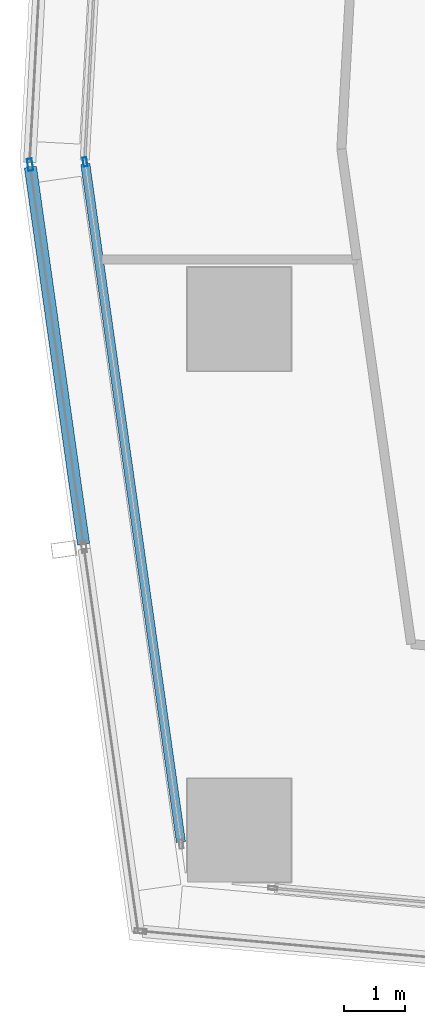
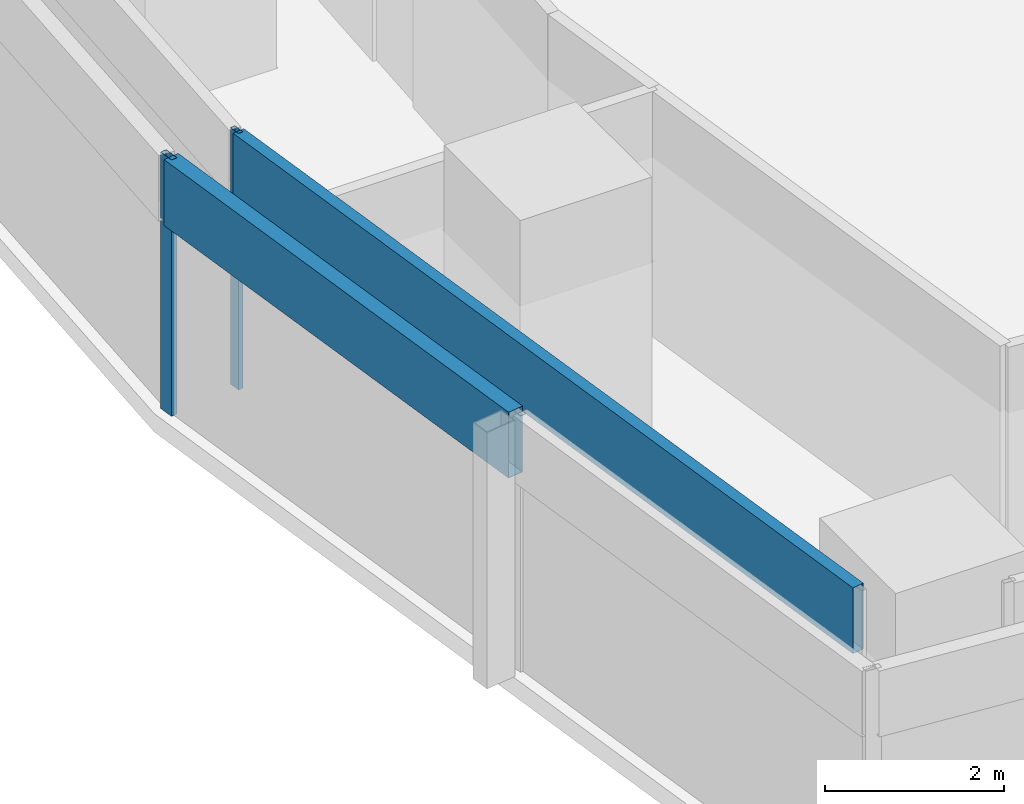
# One storey, part 4 of 40: 4 members, 2 elements without a shape of their own.
"""IFC4 building model written with IfcOpenShell, lengths in metres."""

from ifc_helpers import new_model, si_unit, direction, frame, origin, origin_2d, place, context, subcontext, project, spatial, hollow_rectangle, extrude, material, material_profile, profile_set, type_object, element, aggregate, save


model = new_model("IFC4")

# Units and contexts
model_context = context("Model", 3, precision=1e-05, world=origin(), true_north=direction((0.0, 1.0)))
body_context = subcontext(model_context, "Body", "Model", "MODEL_VIEW")
ifc_project = project(units=[si_unit("LENGTHUNIT", "METRE"), si_unit("AREAUNIT", "SQUARE_METRE"), si_unit("VOLUMEUNIT", "CUBIC_METRE"), si_unit("PLANEANGLEUNIT", "RADIAN"), si_unit("MASSUNIT", "GRAM", prefix="KILO")], contexts=[model_context])

# Site, building, storey
site_placement = place(None, origin())
site = spatial("IfcSite", under=ifc_project, at=site_placement, CompositionType="ELEMENT")
building_placement = place(site_placement, origin())
building = spatial("IfcBuilding", under=site, at=building_placement, Name="Rekha Terrace Tower", CompositionType="ELEMENT")
storey_placement = place(building_placement, frame((0.0, 0.0, 121.550048828125)))
storey = spatial("IfcBuildingStorey", under=building, at=storey_placement, Name="L30", CompositionType="ELEMENT", Elevation=121.550048828125)

# Curtain wall, members
ifc_material_1 = material(Name="Aluminium framing", Category="aluminium")
curtain_wall_type_1 = type_object("IfcCurtainWallType", Name="CW1 double skin inner glazing", PredefinedType="USERDEFINED", material=ifc_material_1)
curtain_wall_1_placement = place(storey_placement, origin())
curtain_wall_1 = element("IfcCurtainWall", 1, at=curtain_wall_1_placement, inside=storey, type_object=curtain_wall_type_1, Name="CW1 double skin inner glazing", ObjectType="DOUBLE SKIN INNER GLAZING", PredefinedType="USERDEFINED")
ifc_material_2 = material(Name="Aluminium mullion section", Category="aluminium")
ifc_material_profile_1 = material_profile(ifc_material_2, hollow_rectangle(XDim=0.06494140625, YDim=0.14990234375, WallThickness=0.00390625, at=origin_2d()), Name="AL RHS 65x150")
ifc_profile_set_1 = profile_set([ifc_material_profile_1], Name="Aluminium mullion section")
member_type_1 = type_object("IfcMemberType", Name="CW1 mullion RHS 65 x 150", PredefinedType="MULLION", material=ifc_profile_set_1)
member_1_placement = place(storey_placement, frame((5.86865234375, 27.78125, 0.0), z_axis=(0.0, 0.0, 1.0), x_axis=(0.990208394312, 0.139597048082, 0.0)))
member_1 = element("IfcMember", 2, at=member_1_placement, type_object=member_type_1, Name="CW1 mullion 1", PredefinedType="MULLION", context=body_context, shape_type="SweptSolid", body=[
    extrude(hollow_rectangle(XDim=0.06494140625, YDim=0.14990234375, WallThickness=0.00390625, at=origin_2d()), origin(), (0.0, 0.0, 1.0), 3.5),
])
ifc_material_3 = material(Name="Insulated aluminium spandrel box", Category="aluminium")
ifc_material_profile_2 = material_profile(ifc_material_3, hollow_rectangle(XDim=0.14990234375, YDim=0.89990234375, WallThickness=0.0029296875, at=origin_2d()), Name="AL SPANDREL BOX 150x900")
ifc_profile_set_2 = profile_set([ifc_material_profile_2], Name="Insulated aluminium spandrel box")
member_type_2 = type_object("IfcMemberType", Name="CW1 spandrel transom 150 x 900", PredefinedType="USERDEFINED", material=ifc_profile_set_2)
member_2_placement = place(storey_placement, frame((5.873046875, 27.7490234375, 3.050048828125), z_axis=(0.139607844155, -0.99020687225, 0.0), x_axis=(0.99020687225, 0.139607844155, 0.0)))
member_2 = element("IfcMember", 3, at=member_2_placement, type_object=member_type_2, Name="CW1 spandrel transom 1", ObjectType="TRANSOM", PredefinedType="USERDEFINED", context=body_context, shape_type="SweptSolid", body=[
    extrude(hollow_rectangle(XDim=0.14990234375, YDim=0.89990234375, WallThickness=0.0029296875, at=origin_2d()), origin(), (0.0, 0.0, 1.0), 11.253173828125),
])
aggregate(curtain_wall_1, [member_1, member_2])

curtain_wall_type_2 = type_object("IfcCurtainWallType", Name="CW2 double skin outer glazing", PredefinedType="USERDEFINED", material=ifc_material_1)
curtain_wall_2_placement = place(storey_placement, origin())
curtain_wall_2 = element("IfcCurtainWall", 4, at=curtain_wall_2_placement, inside=storey, type_object=curtain_wall_type_2, Name="CW2 double skin outer glazing", ObjectType="DOUBLE SKIN OUTER GLAZING", PredefinedType="USERDEFINED")
ifc_material_profile_3 = material_profile(ifc_material_2, hollow_rectangle(XDim=0.080078125, YDim=0.199951171875, WallThickness=0.00390625, at=origin_2d()), Name="AL RHS 80x200")
ifc_profile_set_3 = profile_set([ifc_material_profile_3], Name="Aluminium mullion section")
member_type_3 = type_object("IfcMemberType", Name="CW2 mullion RHS 80 x 200", PredefinedType="MULLION", material=ifc_profile_set_3)
member_3_placement = place(storey_placement, frame((4.96630859375, 27.7353515625, 0.0), z_axis=(0.0, 0.0, 1.0), x_axis=(0.990208394312, 0.139597048082, 0.0)))
member_3 = element("IfcMember", 5, at=member_3_placement, type_object=member_type_3, Name="CW2 mullion 1", PredefinedType="MULLION", context=body_context, shape_type="SweptSolid", body=[
    extrude(hollow_rectangle(XDim=0.080078125, YDim=0.199951171875, WallThickness=0.00390625, at=origin_2d()), origin(), (0.0, 0.0, 1.0), 3.5),
])
ifc_material_profile_4 = material_profile(ifc_material_3, hollow_rectangle(XDim=0.199951171875, YDim=0.89990234375, WallThickness=0.0029296875, at=origin_2d()), Name="AL SPANDREL BOX 200x900")
ifc_profile_set_4 = profile_set([ifc_material_profile_4], Name="Insulated aluminium spandrel box")
member_type_4 = type_object("IfcMemberType", Name="CW2 spandrel transom 200 x 900", PredefinedType="USERDEFINED", material=ifc_profile_set_4)
member_4_placement = place(storey_placement, frame((4.9716796875, 27.695556640625, 3.050048828125), z_axis=(0.139596256865, -0.990208505856, 0.0), x_axis=(0.990208505856, 0.139596256865, 0.0)))
member_4 = element("IfcMember", 6, at=member_4_placement, type_object=member_type_4, Name="CW2 spandrel transom 1", ObjectType="TRANSOM", PredefinedType="USERDEFINED", context=body_context, shape_type="SweptSolid", body=[
    extrude(hollow_rectangle(XDim=0.199951171875, YDim=0.89990234375, WallThickness=0.0029296875, at=origin_2d()), origin(), (0.0, 0.0, 1.0), 6.255859375),
])
aggregate(curtain_wall_2, [member_3, member_4])

save(model, "model.ifc")
